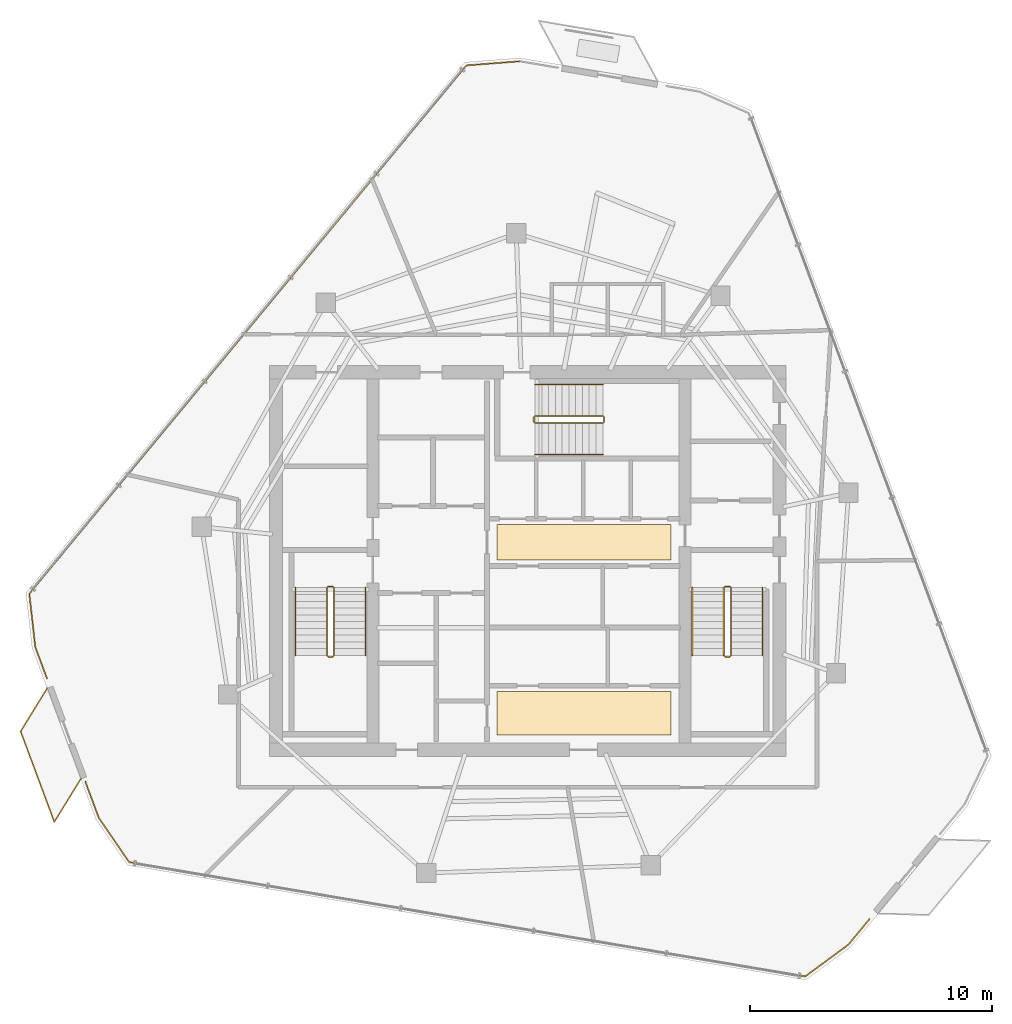
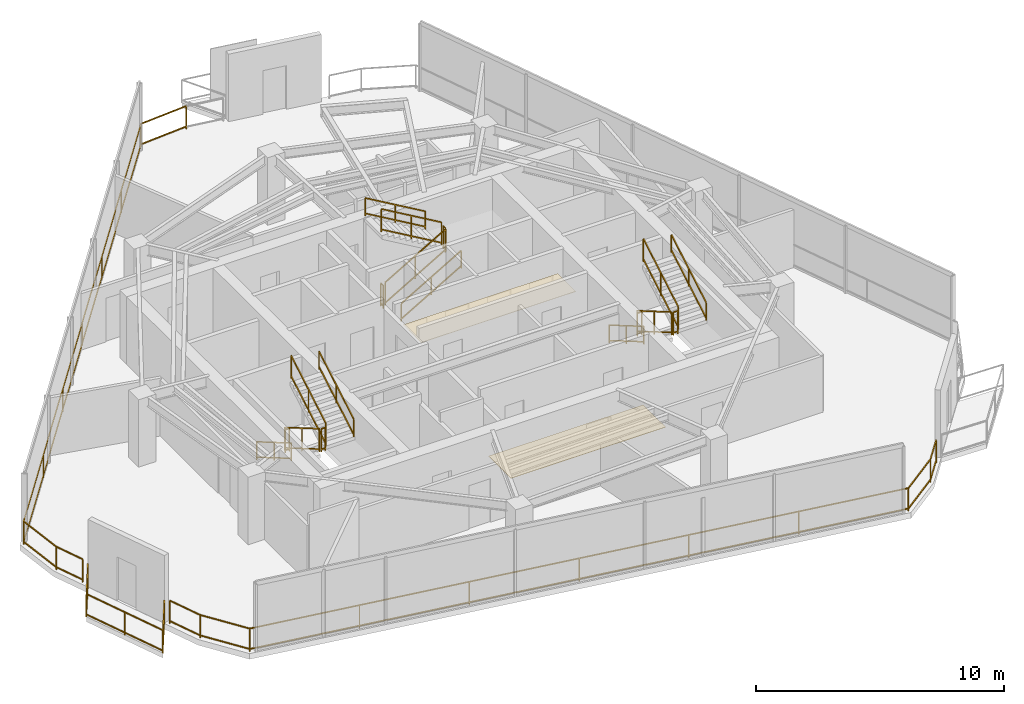
# One storey, part 18 of 19: 21 railings, 2 coverings.
"""IFC4 building model written with IfcOpenShell, lengths in metres."""

import ifcopenshell
import ifcopenshell.guid

model = None  # the IFC model being written
_history = None  # IfcOwnerHistory: only IFC2X3 demands one
_inside = {}  # id of a spatial element -> (the spatial element, [elements in it])
_under = {}  # id of a project, library or spatial element -> (it, [spatial elements below it])
_declared = {}  # id of a project -> (the project, [libraries it declares])
_typed = {}  # id of a type object -> (the type object, [elements of that type])
_made_of = {}  # id of a material, layer set ... -> (it, [elements and type objects made of it])


def new_model(schema):
    """Start an empty IFC model of exactly this schema.

    Asked for "IFC4X3", IfcOpenShell would pick the latest addendum, in which some entities
    have other attributes; the version numbers below select the first issue.
    IFC2X3 requires an IfcOwnerHistory on every rooted entity: one is made here for all.
    """
    global model, _history
    if schema == "IFC4X3":
        model = ifcopenshell.file(schema_version=(4, 3, 0, 0))
    else:
        model = ifcopenshell.file(schema=schema)
    _inside.clear()
    _under.clear()
    _declared.clear()
    _typed.clear()
    _made_of.clear()
    _history = None
    if model.schema == "IFC2X3":
        org = make("IfcOrganization", Name="unknown")
        user = make(
            "IfcPersonAndOrganization",
            ThePerson=make("IfcPerson", FamilyName="unknown"),
            TheOrganization=org,
        )
        app = make(
            "IfcApplication",
            ApplicationDeveloper=org,
            Version="unknown",
            ApplicationFullName="unknown",
            ApplicationIdentifier="unknown",
        )
        _history = make(
            "IfcOwnerHistory",
            OwningUser=user,
            OwningApplication=app,
            ChangeAction="ADDED",
            CreationDate=0,
        )
    return model


def make(cls, **values):
    """One entity of the class cls with the attributes given. An attribute that is None is left unset."""
    return model.create_entity(
        cls, **{name: value for name, value in values.items() if value is not None}
    )


def rooted(cls, **values):
    """An entity with a GlobalId (a new one), such as an element, a storey or a relation."""
    return make(cls, GlobalId=ifcopenshell.guid.new(), OwnerHistory=_history, **values)


def si_unit(unit_type, name, prefix=None):
    """IfcSIUnit, for example si_unit("LENGTHUNIT", "METRE", prefix="MILLI")."""
    return make("IfcSIUnit", UnitType=unit_type, Prefix=prefix, Name=name)


def assignment(units):
    """IfcUnitAssignment: the units of a project."""
    return None if units is None else make("IfcUnitAssignment", Units=units)


def point(xyz):
    """IfcCartesianPoint."""
    return None if xyz is None else make("IfcCartesianPoint", Coordinates=xyz)


def direction(xyz):
    """IfcDirection."""
    return None if xyz is None else make("IfcDirection", DirectionRatios=xyz)


def frame(location, z_axis=None, x_axis=None):
    """IfcAxis2Placement3D, a coordinate frame: its origin and axes. An axis left out is left unset."""
    return make(
        "IfcAxis2Placement3D",
        Location=point(location),
        Axis=direction(z_axis),
        RefDirection=direction(x_axis),
    )


def frame_2d(location, x_axis=None):
    """IfcAxis2Placement2D, a coordinate frame in the plane: its origin and x axis."""
    return make(
        "IfcAxis2Placement2D", Location=point(location), RefDirection=direction(x_axis)
    )


def origin():
    """The frame at (0, 0, 0) with its axes left unset."""
    return frame((0.0, 0.0, 0.0))


def origin_2d():
    """The frame at (0, 0) in the plane with its x axis left unset."""
    return frame_2d((0.0, 0.0))


def place(relative_to, where):
    """IfcLocalPlacement: puts the frame where relative to a parent placement (None: the world)."""
    return make(
        "IfcLocalPlacement", PlacementRelTo=relative_to, RelativePlacement=where
    )


def context(
    kind, dimensions, precision=None, world=None, true_north=None, identifier=None
):
    """IfcGeometricRepresentationContext, for example the 3D "Model" context."""
    return make(
        "IfcGeometricRepresentationContext",
        ContextIdentifier=identifier,
        ContextType=kind,
        CoordinateSpaceDimension=dimensions,
        Precision=precision,
        WorldCoordinateSystem=world,
        TrueNorth=true_north,
    )


def subcontext(parent, identifier, kind, view, scale=None):
    """IfcGeometricRepresentationSubContext, for example "Body" below "Model"."""
    return make(
        "IfcGeometricRepresentationSubContext",
        ContextIdentifier=identifier,
        ContextType=kind,
        ParentContext=parent,
        TargetScale=scale,
        TargetView=view,
    )


def project(units=None, contexts=None):
    """IfcProject with its units and contexts."""
    return rooted(
        "IfcProject",
        Name="project",
        RepresentationContexts=contexts,
        UnitsInContext=assignment(units),
    )


def spatial(cls, under=None, at=None, **own):
    """A site, building, storey or space (cls), placed at a placement, below another one or the project."""
    s = rooted(cls, ObjectPlacement=at, **own)
    if under is not None:
        _under.setdefault(under.id(), (under, []))[1].append(s)
    return s


def profile(cls, at=None, kind="AREA", **sizes):
    """A parametric profile (cls). Its sizes go by their IFC names, for example OverallWidth=200.0."""
    return make(cls, ProfileType=kind, Position=at, **sizes)


def rectangle(**sizes):
    """IfcRectangleProfileDef."""
    return profile("IfcRectangleProfileDef", **sizes)


def extrude(swept, where, along, depth):
    """IfcExtrudedAreaSolid: the profile swept, set in the frame where, extruded along a direction by depth."""
    return make(
        "IfcExtrudedAreaSolid",
        SweptArea=swept,
        Position=where,
        ExtrudedDirection=direction(along),
        Depth=depth,
    )


def shape(context_of_items, identifier, shape_type, items):
    """IfcShapeRepresentation: the items that make up one representation, for example the "Body"."""
    return make(
        "IfcShapeRepresentation",
        ContextOfItems=context_of_items,
        RepresentationIdentifier=identifier,
        RepresentationType=shape_type,
        Items=items,
    )


def material(Name=None, Category=None):
    """IfcMaterial."""
    return make("IfcMaterial", Name=Name, Category=Category)


def layer(
    of_material, thickness, ventilated=None, Name=None, Category=None, Priority=None
):
    """IfcMaterialLayer: one layer of a wall or slab, of a material (None: an air gap)."""
    return make(
        "IfcMaterialLayer",
        Material=of_material,
        LayerThickness=thickness,
        IsVentilated=ventilated,
        Name=Name,
        Category=Category,
        Priority=Priority,
    )


def layer_set(layers, Name=None):
    """IfcMaterialLayerSet."""
    return make("IfcMaterialLayerSet", MaterialLayers=layers, LayerSetName=Name)


def made_of(thing, what):
    """Note that an element or type object is made of a material, layer set ...; save() writes the relation."""
    if what is not None:
        _made_of.setdefault(what.id(), (what, []))[1].append(thing)
    return thing


def type_object(cls, material=None, **own):
    """A type object (cls), such as IfcWallType, which elements share."""
    return made_of(rooted(cls, **own), material)


def element(
    cls,
    number,
    at=None,
    inside=None,
    cuts=None,
    type_object=None,
    material=None,
    context=None,
    identifier="Body",
    shape_type=None,
    held_by="IfcProductDefinitionShape",
    body=None,
    shapes=None,
    **own,
):
    """One element of the class cls, such as IfcWall. Its Tag is "e" and its number.

    at: its placement. inside: the storey or other place that contains it. cuts: it is an
    opening in that element (IfcRelVoidsElement). A single representation is given by context,
    identifier, shape_type and body (its items); several are given by shapes. held_by: the class
    of the entity that holds the representations. save() writes the other relations.
    """
    e = rooted(cls, Tag="e%d" % number, ObjectPlacement=at, **own)
    if body is not None:
        shapes = [shape(context, identifier, shape_type, body)]
    if shapes is not None:
        e.Representation = make(held_by, Representations=shapes)
    if inside is not None:
        _inside.setdefault(inside.id(), (inside, []))[1].append(e)
    if cuts is not None:
        rooted(
            "IfcRelVoidsElement", RelatingBuildingElement=cuts, RelatedOpeningElement=e
        )
    if type_object is not None:
        _typed.setdefault(type_object.id(), (type_object, []))[1].append(e)
    return made_of(e, material)


def aggregate(whole, parts):
    """IfcRelAggregates: a whole, such as a stair, and the parts it consists of."""
    return rooted("IfcRelAggregates", RelatingObject=whole, RelatedObjects=parts)


def save(model, path):
    """Write the relations noted so far, then the file.

    IfcRelAggregates (storeys below a building ...), IfcRelContainedInSpatialStructure (elements
    in a storey), IfcRelDefinesByType, IfcRelAssociatesMaterial and IfcRelDeclares: one each for
    every whole, place, type object, material and project.
    """
    for whole, parts in _under.values():
        aggregate(whole, parts)
    for where, things in _inside.values():
        rooted(
            "IfcRelContainedInSpatialStructure",
            RelatedElements=things,
            RelatingStructure=where,
        )
    for kind, things in _typed.values():
        rooted("IfcRelDefinesByType", RelatedObjects=things, RelatingType=kind)
    for what, things in _made_of.values():
        rooted("IfcRelAssociatesMaterial", RelatedObjects=things, RelatingMaterial=what)
    for by, libraries in _declared.values():
        rooted("IfcRelDeclares", RelatingContext=by, RelatedDefinitions=libraries)
    model.write(path)


model = new_model("IFC4")

# Units and contexts
model_context = context("Model", 3, precision=1e-05, world=origin(), true_north=direction((0.0, 1.0)))
body_context = subcontext(model_context, "Body", "Model", "MODEL_VIEW")
ifc_project = project(units=[si_unit("LENGTHUNIT", "METRE"), si_unit("AREAUNIT", "SQUARE_METRE"), si_unit("VOLUMEUNIT", "CUBIC_METRE"), si_unit("PLANEANGLEUNIT", "RADIAN"), si_unit("MASSUNIT", "GRAM", prefix="KILO")], contexts=[model_context])

# Site, building, storey
site_placement = place(None, origin())
site = spatial("IfcSite", under=ifc_project, at=site_placement, CompositionType="ELEMENT")
building_placement = place(site_placement, origin())
building = spatial("IfcBuilding", under=site, at=building_placement, Name="Qarnah Convention Tower", CompositionType="ELEMENT")
storey_placement = place(building_placement, frame((0.0, 0.0, 257.10009765625)))
storey = spatial("IfcBuildingStorey", under=building, at=storey_placement, Name="L69", CompositionType="ELEMENT", Elevation=257.10009765625)

# Coverings
ifc_material_1 = material(Name="Mineral fibre acoustic ceiling")
ifc_layer_1 = layer(ifc_material_1, 0.02001953125)
ifc_layer_set_1 = layer_set([ifc_layer_1], Name="Mineral fibre acoustic ceiling")
covering_type_1 = type_object("IfcCoveringType", Name="COV-CEIL-20", PredefinedType="CEILING", material=ifc_layer_set_1)
covering_1_placement = place(storey_placement, frame((39.52001953125, 27.179931640625, 2.289794921875), z_axis=(0.0, 0.0, 1.0), x_axis=(1.0, 0.0, 0.0)))
element("IfcCovering", 1, at=covering_1_placement, inside=storey, type_object=covering_type_1, Name="L69 lift lobby acoustic ceiling", PredefinedType="CEILING", context=body_context, shape_type="SweptSolid", body=[
    extrude(rectangle(XDim=7.199951171875, YDim=1.449951171875, at=origin_2d()), origin(), (0.0, 0.0, 1.0), 0.02001953125),
])
ifc_material_2 = material(Name="Porcelain stone floor tile", Category="masonry")
ifc_layer_2 = layer(ifc_material_2, 0.02001953125)
ifc_layer_set_2 = layer_set([ifc_layer_2], Name="Porcelain stone floor tile")
covering_type_2 = type_object("IfcCoveringType", Name="COV-FLOOR-20", PredefinedType="FLOORING", material=ifc_layer_set_2)
covering_2_placement = place(storey_placement, frame((39.52001953125, 20.1201171875, 0.0), z_axis=(0.0, 0.0, 1.0), x_axis=(1.0, 0.0, 0.0)))
element("IfcCovering", 2, at=covering_2_placement, inside=storey, type_object=covering_type_2, Name="L69 lift lobby porcelain stone flooring", PredefinedType="FLOORING", context=body_context, shape_type="SweptSolid", body=[
    extrude(rectangle(XDim=7.199951171875, YDim=1.800048828125, at=origin_2d()), origin(), (0.0, 0.0, 1.0), 0.02001953125),
])

# Railings
ifc_material_3 = material(Name="Black anodised aluminium", Category="aluminium")
railing_type_1 = type_object("IfcRailingType", Name="RL-EXT-GUARD-1150", PredefinedType="GUARDRAIL", material=ifc_material_3)
railing_1_placement = place(storey_placement, frame((51.326904296875, 11.617919921875, 0.0)))
element("IfcRailing", 3, at=railing_1_placement, inside=storey, type_object=railing_type_1, Name="L69 slab-edge perimeter safety guard 03", PredefinedType="GUARDRAIL", context=body_context, shape_type="SweptSolid", body=[
    extrude(rectangle(XDim=0.048095703125, YDim=0.048095703125, at=origin_2d()), frame((0.0, 0.0, 1.1259765625), z_axis=(-0.637073931527, -0.770802702232, 0.0), x_axis=(0.770802702232, -0.637073931527, 0.0)), (0.0, 0.0, 1.0), 1.37646484375),
    extrude(rectangle(XDim=0.048095703125, YDim=0.048095703125, at=origin_2d()), frame((0.0, 0.0, 0.1201171875), z_axis=(-0.637073931527, -0.770802702232, 0.0), x_axis=(0.770802702232, -0.637073931527, 0.0)), (0.0, 0.0, 1.0), 1.37646484375),
    extrude(rectangle(XDim=0.048095703125, YDim=0.048095703125, at=origin_2d()), frame((-0.876953125, -1.06103515625, 1.1259765625), z_axis=(-0.804900847436, -0.593409323989, 0.0), x_axis=(0.593409323989, -0.804900847436, 0.0)), (0.0, 0.0, 1.0), 2.217529296875),
    extrude(rectangle(XDim=0.048095703125, YDim=0.048095703125, at=origin_2d()), frame((-0.876953125, -1.06103515625, 0.1201171875), z_axis=(-0.804900847436, -0.593409323989, 0.0), x_axis=(0.593409323989, -0.804900847436, 0.0)), (0.0, 0.0, 1.0), 2.217529296875),
    extrude(rectangle(XDim=0.048095703125, YDim=0.048095703125, at=origin_2d()), frame((-2.661865234375, -2.376953125, 1.1259765625), z_axis=(-0.985994666405, 0.166776850375, 0.0), x_axis=(-0.166776850375, -0.985994666405, 0.0)), (0.0, 0.0, 1.0), 28.331787109375),
    extrude(rectangle(XDim=0.048095703125, YDim=0.048095703125, at=origin_2d()), frame((-2.661865234375, -2.376953125, 0.1201171875), z_axis=(-0.985994666405, 0.166776850375, 0.0), x_axis=(-0.166776850375, -0.985994666405, 0.0)), (0.0, 0.0, 1.0), 28.331787109375),
    extrude(rectangle(XDim=0.048095703125, YDim=0.048095703125, at=origin_2d()), frame((-30.596923828125, 2.34814453125, 1.1259765625), z_axis=(-0.564971979591, 0.825110091004, 0.0), x_axis=(-0.825110091004, -0.564971979591, 0.0)), (0.0, 0.0, 1.0), 2.2177734375),
    extrude(rectangle(XDim=0.048095703125, YDim=0.048095703125, at=origin_2d()), frame((-30.596923828125, 2.34814453125, 0.1201171875), z_axis=(-0.564971979591, 0.825110091004, 0.0), x_axis=(-0.825110091004, -0.564971979591, 0.0)), (0.0, 0.0, 1.0), 2.2177734375),
    extrude(rectangle(XDim=0.048095703125, YDim=0.048095703125, at=origin_2d()), frame((-31.849853515625, 4.177978515625, 1.1259765625), z_axis=(-0.348340979754, 0.937367890331, 0.0), x_axis=(-0.937367890331, -0.348340979754, 0.0)), (0.0, 0.0, 1.0), 1.58740234375),
    extrude(rectangle(XDim=0.048095703125, YDim=0.048095703125, at=origin_2d()), frame((-31.849853515625, 4.177978515625, 0.1201171875), z_axis=(-0.348340979754, 0.937367890331, 0.0), x_axis=(-0.937367890331, -0.348340979754, 0.0)), (0.0, 0.0, 1.0), 1.58740234375),
    extrude(rectangle(XDim=0.0419921875, YDim=0.0419921875, at=origin_2d()), origin(), (0.0, 0.0, 1.0), 1.101806640625),
    extrude(rectangle(XDim=0.0419921875, YDim=0.0419921875, at=origin_2d()), frame((-0.876953125, -1.06103515625, 0.0)), (0.0, 0.0, 1.0), 1.101806640625),
    extrude(rectangle(XDim=0.0419921875, YDim=0.0419921875, at=origin_2d()), frame((-2.661865234375, -2.376953125, 0.0)), (0.0, 0.0, 1.0), 1.101806640625),
    extrude(rectangle(XDim=0.0419921875, YDim=0.0419921875, at=origin_2d()), frame((-7.317626953125, -1.58935546875, 0.0)), (0.0, 0.0, 1.0), 1.101806640625),
    extrude(rectangle(XDim=0.0419921875, YDim=0.0419921875, at=origin_2d()), frame((-11.9736328125, -0.802001953125, 0.0)), (0.0, 0.0, 1.0), 1.101806640625),
    extrude(rectangle(XDim=0.0419921875, YDim=0.0419921875, at=origin_2d()), frame((-16.62939453125, -0.014404296875, 0.0)), (0.0, 0.0, 1.0), 1.101806640625),
    extrude(rectangle(XDim=0.0419921875, YDim=0.0419921875, at=origin_2d()), frame((-21.28515625, 0.773193359375, 0.0)), (0.0, 0.0, 1.0), 1.101806640625),
    extrude(rectangle(XDim=0.0419921875, YDim=0.0419921875, at=origin_2d()), frame((-25.941162109375, 1.560546875, 0.0)), (0.0, 0.0, 1.0), 1.101806640625),
    extrude(rectangle(XDim=0.0419921875, YDim=0.0419921875, at=origin_2d()), frame((-30.596923828125, 2.34814453125, 0.0)), (0.0, 0.0, 1.0), 1.101806640625),
    extrude(rectangle(XDim=0.0419921875, YDim=0.0419921875, at=origin_2d()), frame((-31.849853515625, 4.177978515625, 0.0)), (0.0, 0.0, 1.0), 1.101806640625),
    extrude(rectangle(XDim=0.0419921875, YDim=0.0419921875, at=origin_2d()), frame((-32.40283203125, 5.666015625, 0.0)), (0.0, 0.0, 1.0), 1.101806640625),
])
railing_2_placement = place(storey_placement, frame((17.3349609375, 21.556884765625, 0.0)))
element("IfcRailing", 4, at=railing_2_placement, inside=storey, type_object=railing_type_1, Name="L69 slab-edge perimeter safety guard 04", PredefinedType="GUARDRAIL", context=body_context, shape_type="SweptSolid", body=[
    extrude(rectangle(XDim=0.048095703125, YDim=0.048095703125, at=origin_2d()), frame((0.0, 0.0, 1.1259765625), z_axis=(-0.348711972358, 0.937229939948, 0.0), x_axis=(-0.937229939948, -0.348711972358, 0.0)), (0.0, 0.0, 1.0), 1.37646484375),
    extrude(rectangle(XDim=0.048095703125, YDim=0.048095703125, at=origin_2d()), frame((0.0, 0.0, 0.1201171875), z_axis=(-0.348711972358, 0.937229939948, 0.0), x_axis=(-0.937229939948, -0.348711972358, 0.0)), (0.0, 0.0, 1.0), 1.37646484375),
    extrude(rectangle(XDim=0.048095703125, YDim=0.048095703125, at=origin_2d()), frame((-0.47998046875, 1.2900390625, 1.1259765625), z_axis=(-0.111398004309, 0.993775872436, 0.0), x_axis=(-0.993775872436, -0.111398004309, 0.0)), (0.0, 0.0, 1.0), 2.218017578125),
    extrude(rectangle(XDim=0.048095703125, YDim=0.048095703125, at=origin_2d()), frame((-0.47998046875, 1.2900390625, 0.1201171875), z_axis=(-0.111398004309, 0.993775872436, 0.0), x_axis=(-0.993775872436, -0.111398004309, 0.0)), (0.0, 0.0, 1.0), 2.218017578125),
    extrude(rectangle(XDim=0.048095703125, YDim=0.048095703125, at=origin_2d()), frame((-0.72705078125, 3.494140625, 1.1259765625), z_axis=(0.637438253645, 0.770501442432, 0.0), x_axis=(-0.770501442432, 0.637438253645, 0.0)), (0.0, 0.0, 1.0), 28.330810546875),
    extrude(rectangle(XDim=0.048095703125, YDim=0.048095703125, at=origin_2d()), frame((-0.72705078125, 3.494140625, 0.1201171875), z_axis=(0.637438253645, 0.770501442432, 0.0), x_axis=(-0.770501442432, 0.637438253645, 0.0)), (0.0, 0.0, 1.0), 28.330810546875),
    extrude(rectangle(XDim=0.048095703125, YDim=0.048095703125, at=origin_2d()), frame((17.33203125, 25.322998046875, 1.1259765625), z_axis=(0.997051246424, 0.076738595269, 0.0), x_axis=(-0.076738595269, 0.997051246424, 0.0)), (0.0, 0.0, 1.0), 2.217529296875),
    extrude(rectangle(XDim=0.048095703125, YDim=0.048095703125, at=origin_2d()), frame((17.33203125, 25.322998046875, 0.1201171875), z_axis=(0.997051246424, 0.076738595269, 0.0), x_axis=(-0.076738595269, 0.997051246424, 0.0)), (0.0, 0.0, 1.0), 2.217529296875),
    extrude(rectangle(XDim=0.0419921875, YDim=0.0419921875, at=origin_2d()), origin(), (0.0, 0.0, 1.0), 1.101806640625),
    extrude(rectangle(XDim=0.0419921875, YDim=0.0419921875, at=origin_2d()), frame((-0.47998046875, 1.2900390625, 0.0)), (0.0, 0.0, 1.0), 1.101806640625),
    extrude(rectangle(XDim=0.0419921875, YDim=0.0419921875, at=origin_2d()), frame((-0.72705078125, 3.494140625, 0.0)), (0.0, 0.0, 1.0), 1.101806640625),
    extrude(rectangle(XDim=0.0419921875, YDim=0.0419921875, at=origin_2d()), frame((2.28271484375, 7.13232421875, 0.0)), (0.0, 0.0, 1.0), 1.101806640625),
    extrude(rectangle(XDim=0.0419921875, YDim=0.0419921875, at=origin_2d()), frame((5.292724609375, 10.7705078125, 0.0)), (0.0, 0.0, 1.0), 1.101806640625),
    extrude(rectangle(XDim=0.0419921875, YDim=0.0419921875, at=origin_2d()), frame((8.302490234375, 14.40869140625, 0.0)), (0.0, 0.0, 1.0), 1.101806640625),
    extrude(rectangle(XDim=0.0419921875, YDim=0.0419921875, at=origin_2d()), frame((11.312255859375, 18.046630859375, 0.0)), (0.0, 0.0, 1.0), 1.101806640625),
    extrude(rectangle(XDim=0.0419921875, YDim=0.0419921875, at=origin_2d()), frame((14.322265625, 21.684814453125, 0.0)), (0.0, 0.0, 1.0), 1.101806640625),
    extrude(rectangle(XDim=0.0419921875, YDim=0.0419921875, at=origin_2d()), frame((17.33203125, 25.322998046875, 0.0)), (0.0, 0.0, 1.0), 1.101806640625),
    extrude(rectangle(XDim=0.0419921875, YDim=0.0419921875, at=origin_2d()), frame((19.54296875, 25.4931640625, 0.0)), (0.0, 0.0, 1.0), 1.101806640625),
])
railing_3_placement = place(storey_placement, frame((18.737060546875, 17.39990234375, 0.0)))
element("IfcRailing", 5, at=railing_3_placement, inside=storey, type_object=railing_type_1, Name="L69 balcony safety guard BAL-L69-C2", PredefinedType="GUARDRAIL", context=body_context, shape_type="SweptSolid", body=[
    extrude(rectangle(XDim=0.048095703125, YDim=0.048095703125, at=origin_2d()), frame((0.0, 0.0, 1.1259765625), z_axis=(-0.523876270694, -0.851794372489, 0.0), x_axis=(0.851794372489, -0.523876270694, 0.0)), (0.0, 0.0, 1.0), 2.09423828125),
    extrude(rectangle(XDim=0.048095703125, YDim=0.048095703125, at=origin_2d()), frame((0.0, 0.0, 0.1201171875), z_axis=(-0.523876270694, -0.851794372489, 0.0), x_axis=(0.851794372489, -0.523876270694, 0.0)), (0.0, 0.0, 1.0), 2.09423828125),
    extrude(rectangle(XDim=0.048095703125, YDim=0.048095703125, at=origin_2d()), frame((-1.09716796875, -1.783935546875, 1.1259765625), z_axis=(-0.348687580868, 0.937239014845, 0.0), x_axis=(-0.937239014845, -0.348687580868, 0.0)), (0.0, 0.0, 1.0), 4.0),
    extrude(rectangle(XDim=0.048095703125, YDim=0.048095703125, at=origin_2d()), frame((-1.09716796875, -1.783935546875, 0.1201171875), z_axis=(-0.348687580868, 0.937239014845, 0.0), x_axis=(-0.937239014845, -0.348687580868, 0.0)), (0.0, 0.0, 1.0), 4.0),
    extrude(rectangle(XDim=0.048095703125, YDim=0.048095703125, at=origin_2d()), frame((-2.491943359375, 1.965087890625, 1.1259765625), z_axis=(0.523791683431, 0.851846390125, 0.0), x_axis=(-0.851846390125, 0.523791683431, 0.0)), (0.0, 0.0, 1.0), 2.09423828125),
    extrude(rectangle(XDim=0.048095703125, YDim=0.048095703125, at=origin_2d()), frame((-2.491943359375, 1.965087890625, 0.1201171875), z_axis=(0.523791683431, 0.851846390125, 0.0), x_axis=(-0.851846390125, 0.523791683431, 0.0)), (0.0, 0.0, 1.0), 2.09423828125),
    extrude(rectangle(XDim=0.0419921875, YDim=0.0419921875, at=origin_2d()), origin(), (0.0, 0.0, 1.0), 1.101806640625),
    extrude(rectangle(XDim=0.0419921875, YDim=0.0419921875, at=origin_2d()), frame((-1.09716796875, -1.783935546875, 0.0)), (0.0, 0.0, 1.0), 1.101806640625),
    extrude(rectangle(XDim=0.0419921875, YDim=0.0419921875, at=origin_2d()), frame((-1.79443359375, 0.090576171875, 0.0)), (0.0, 0.0, 1.0), 1.101806640625),
    extrude(rectangle(XDim=0.0419921875, YDim=0.0419921875, at=origin_2d()), frame((-2.491943359375, 1.965087890625, 0.0)), (0.0, 0.0, 1.0), 1.101806640625),
    extrude(rectangle(XDim=0.0419921875, YDim=0.0419921875, at=origin_2d()), frame((-1.39501953125, 3.7490234375, 0.0)), (0.0, 0.0, 1.0), 1.101806640625),
])
ifc_material_4 = material(Name="Structural steel S355JR", Category="steel")
railing_type_2 = type_object("IfcRailingType", Name="RL-STAIR-GUARD-1150", PredefinedType="GUARDRAIL", material=ifc_material_4)
railing_4_placement = place(storey_placement, frame((28.89990234375, 25.300048828125, 0.16357421875)))
element("IfcRailing", 6, at=railing_4_placement, inside=storey, type_object=railing_type_2, Name="L69 ST-1 stair guard 1", PredefinedType="GUARDRAIL", context=body_context, shape_type="SweptSolid", body=[
    extrude(rectangle(XDim=0.048095703125, YDim=0.048095703125, at=origin_2d()), frame((0.0, 0.0, 1.1259765625), z_axis=(0.0, -0.863393664356, 0.504530851732), x_axis=(1.0, 0.0, 0.0)), (0.0, 0.0, 1.0), 3.2431640625),
    extrude(rectangle(XDim=0.048095703125, YDim=0.048095703125, at=origin_2d()), frame((0.0, 0.0, 0.1201171875), z_axis=(0.0, -0.863393664356, 0.504530851732), x_axis=(1.0, 0.0, 0.0)), (0.0, 0.0, 1.0), 3.2431640625),
    extrude(rectangle(XDim=0.0419921875, YDim=0.0419921875, at=origin_2d()), origin(), (0.0, 0.0, 1.0), 1.101806640625),
    extrude(rectangle(XDim=0.0419921875, YDim=0.0419921875, at=origin_2d()), frame((0.0, -1.39990234375, 0.818115234375)), (0.0, 0.0, 1.0), 1.101806640625),
    extrude(rectangle(XDim=0.0419921875, YDim=0.0419921875, at=origin_2d()), frame((0.0, -2.800048828125, 1.63623046875)), (0.0, 0.0, 1.0), 1.101806640625),
])
railing_5_placement = place(storey_placement, frame((28.949951171875, 22.449951171875, 1.7998046875)))
element("IfcRailing", 7, at=railing_5_placement, inside=storey, type_object=railing_type_2, Name="L69 ST-1 stair guard 2", PredefinedType="GUARDRAIL", context=body_context, shape_type="SweptSolid", body=[
    extrude(rectangle(XDim=0.048095703125, YDim=0.048095703125, at=origin_2d()), frame((0.0, 0.0, 1.1259765625), z_axis=(1.0, 0.0, 0.0), x_axis=(0.0, 1.0, 0.0)), (0.0, 0.0, 1.0), 0.199951171875),
    extrude(rectangle(XDim=0.048095703125, YDim=0.048095703125, at=origin_2d()), frame((0.0, 0.0, 0.1201171875), z_axis=(1.0, 0.0, 0.0), x_axis=(0.0, 1.0, 0.0)), (0.0, 0.0, 1.0), 0.199951171875),
    extrude(rectangle(XDim=0.0419921875, YDim=0.0419921875, at=origin_2d()), origin(), (0.0, 0.0, 1.0), 1.101806640625),
    extrude(rectangle(XDim=0.0419921875, YDim=0.0419921875, at=origin_2d()), frame((0.199951171875, 0.0, 0.0)), (0.0, 0.0, 1.0), 1.101806640625),
])
railing_6_placement = place(storey_placement, frame((29.199951171875, 22.5, 1.963623046875)))
element("IfcRailing", 8, at=railing_6_placement, inside=storey, type_object=railing_type_2, Name="L69 ST-1 stair guard 3", PredefinedType="GUARDRAIL", context=body_context, shape_type="SweptSolid", body=[
    extrude(rectangle(XDim=0.048095703125, YDim=0.048095703125, at=origin_2d()), frame((0.0, 0.0, 1.1259765625), z_axis=(0.0, 0.863393664356, 0.504530851732), x_axis=(-1.0, 0.0, 0.0)), (0.0, 0.0, 1.0), 3.2431640625),
    extrude(rectangle(XDim=0.048095703125, YDim=0.048095703125, at=origin_2d()), frame((0.0, 0.0, 0.1201171875), z_axis=(0.0, 0.863393664356, 0.504530851732), x_axis=(-1.0, 0.0, 0.0)), (0.0, 0.0, 1.0), 3.2431640625),
    extrude(rectangle(XDim=0.0419921875, YDim=0.0419921875, at=origin_2d()), origin(), (0.0, 0.0, 1.0), 1.101806640625),
    extrude(rectangle(XDim=0.0419921875, YDim=0.0419921875, at=origin_2d()), frame((0.0, 1.39990234375, 0.818115234375)), (0.0, 0.0, 1.0), 1.101806640625),
    extrude(rectangle(XDim=0.0419921875, YDim=0.0419921875, at=origin_2d()), frame((0.0, 2.800048828125, 1.63623046875)), (0.0, 0.0, 1.0), 1.101806640625),
])
railing_7_placement = place(storey_placement, frame((28.949951171875, 25.35009765625, 0.0)))
element("IfcRailing", 9, at=railing_7_placement, inside=storey, type_object=railing_type_2, Name="L69 ST-1 stair guard 4", PredefinedType="GUARDRAIL", context=body_context, shape_type="SweptSolid", body=[
    extrude(rectangle(XDim=0.048095703125, YDim=0.048095703125, at=origin_2d()), frame((0.0, 0.0, 1.1259765625), z_axis=(1.0, 0.0, 0.0), x_axis=(0.0, 1.0, 0.0)), (0.0, 0.0, 1.0), 0.199951171875),
    extrude(rectangle(XDim=0.048095703125, YDim=0.048095703125, at=origin_2d()), frame((0.0, 0.0, 0.1201171875), z_axis=(1.0, 0.0, 0.0), x_axis=(0.0, 1.0, 0.0)), (0.0, 0.0, 1.0), 0.199951171875),
    extrude(rectangle(XDim=0.0419921875, YDim=0.0419921875, at=origin_2d()), origin(), (0.0, 0.0, 1.0), 1.101806640625),
    extrude(rectangle(XDim=0.0419921875, YDim=0.0419921875, at=origin_2d()), frame((0.199951171875, 0.0, 0.0)), (0.0, 0.0, 1.0), 1.101806640625),
])
railing_8_placement = place(storey_placement, frame((45.300048828125, 25.300048828125, 0.16357421875)))
element("IfcRailing", 10, at=railing_8_placement, inside=storey, type_object=railing_type_2, Name="L69 ST-2 stair guard 1", PredefinedType="GUARDRAIL", context=body_context, shape_type="SweptSolid", body=[
    extrude(rectangle(XDim=0.048095703125, YDim=0.048095703125, at=origin_2d()), frame((0.0, 0.0, 1.1259765625), z_axis=(0.0, -0.863393664356, 0.504530851732), x_axis=(1.0, 0.0, 0.0)), (0.0, 0.0, 1.0), 3.2431640625),
    extrude(rectangle(XDim=0.048095703125, YDim=0.048095703125, at=origin_2d()), frame((0.0, 0.0, 0.1201171875), z_axis=(0.0, -0.863393664356, 0.504530851732), x_axis=(1.0, 0.0, 0.0)), (0.0, 0.0, 1.0), 3.2431640625),
    extrude(rectangle(XDim=0.0419921875, YDim=0.0419921875, at=origin_2d()), origin(), (0.0, 0.0, 1.0), 1.101806640625),
    extrude(rectangle(XDim=0.0419921875, YDim=0.0419921875, at=origin_2d()), frame((0.0, -1.39990234375, 0.818115234375)), (0.0, 0.0, 1.0), 1.101806640625),
    extrude(rectangle(XDim=0.0419921875, YDim=0.0419921875, at=origin_2d()), frame((0.0, -2.800048828125, 1.63623046875)), (0.0, 0.0, 1.0), 1.101806640625),
])
railing_9_placement = place(storey_placement, frame((45.35009765625, 22.449951171875, 1.7998046875)))
element("IfcRailing", 11, at=railing_9_placement, inside=storey, type_object=railing_type_2, Name="L69 ST-2 stair guard 2", PredefinedType="GUARDRAIL", context=body_context, shape_type="SweptSolid", body=[
    extrude(rectangle(XDim=0.048095703125, YDim=0.048095703125, at=origin_2d()), frame((0.0, 0.0, 1.1259765625), z_axis=(1.0, 0.0, 0.0), x_axis=(0.0, 1.0, 0.0)), (0.0, 0.0, 1.0), 0.199951171875),
    extrude(rectangle(XDim=0.048095703125, YDim=0.048095703125, at=origin_2d()), frame((0.0, 0.0, 0.1201171875), z_axis=(1.0, 0.0, 0.0), x_axis=(0.0, 1.0, 0.0)), (0.0, 0.0, 1.0), 0.199951171875),
    extrude(rectangle(XDim=0.0419921875, YDim=0.0419921875, at=origin_2d()), origin(), (0.0, 0.0, 1.0), 1.101806640625),
    extrude(rectangle(XDim=0.0419921875, YDim=0.0419921875, at=origin_2d()), frame((0.199951171875, 0.0, 0.0)), (0.0, 0.0, 1.0), 1.101806640625),
])
railing_10_placement = place(storey_placement, frame((45.60009765625, 22.5, 1.963623046875)))
element("IfcRailing", 12, at=railing_10_placement, inside=storey, type_object=railing_type_2, Name="L69 ST-2 stair guard 3", PredefinedType="GUARDRAIL", context=body_context, shape_type="SweptSolid", body=[
    extrude(rectangle(XDim=0.048095703125, YDim=0.048095703125, at=origin_2d()), frame((0.0, 0.0, 1.1259765625), z_axis=(0.0, 0.863393664356, 0.504530851732), x_axis=(-1.0, 0.0, 0.0)), (0.0, 0.0, 1.0), 3.2431640625),
    extrude(rectangle(XDim=0.048095703125, YDim=0.048095703125, at=origin_2d()), frame((0.0, 0.0, 0.1201171875), z_axis=(0.0, 0.863393664356, 0.504530851732), x_axis=(-1.0, 0.0, 0.0)), (0.0, 0.0, 1.0), 3.2431640625),
    extrude(rectangle(XDim=0.0419921875, YDim=0.0419921875, at=origin_2d()), origin(), (0.0, 0.0, 1.0), 1.101806640625),
    extrude(rectangle(XDim=0.0419921875, YDim=0.0419921875, at=origin_2d()), frame((0.0, 1.39990234375, 0.818115234375)), (0.0, 0.0, 1.0), 1.101806640625),
    extrude(rectangle(XDim=0.0419921875, YDim=0.0419921875, at=origin_2d()), frame((0.0, 2.800048828125, 1.63623046875)), (0.0, 0.0, 1.0), 1.101806640625),
])
railing_11_placement = place(storey_placement, frame((45.35009765625, 25.35009765625, 0.0)))
element("IfcRailing", 13, at=railing_11_placement, inside=storey, type_object=railing_type_2, Name="L69 ST-2 stair guard 4", PredefinedType="GUARDRAIL", context=body_context, shape_type="SweptSolid", body=[
    extrude(rectangle(XDim=0.048095703125, YDim=0.048095703125, at=origin_2d()), frame((0.0, 0.0, 1.1259765625), z_axis=(1.0, 0.0, 0.0), x_axis=(0.0, 1.0, 0.0)), (0.0, 0.0, 1.0), 0.199951171875),
    extrude(rectangle(XDim=0.048095703125, YDim=0.048095703125, at=origin_2d()), frame((0.0, 0.0, 0.1201171875), z_axis=(1.0, 0.0, 0.0), x_axis=(0.0, 1.0, 0.0)), (0.0, 0.0, 1.0), 0.199951171875),
    extrude(rectangle(XDim=0.0419921875, YDim=0.0419921875, at=origin_2d()), origin(), (0.0, 0.0, 1.0), 1.101806640625),
    extrude(rectangle(XDim=0.0419921875, YDim=0.0419921875, at=origin_2d()), frame((0.199951171875, 0.0, 0.0)), (0.0, 0.0, 1.0), 1.101806640625),
])
railing_12_placement = place(storey_placement, frame((37.5, 32.10009765625, 0.16357421875)))
element("IfcRailing", 14, at=railing_12_placement, inside=storey, type_object=railing_type_2, Name="L69 ST-3 stair guard 1", PredefinedType="GUARDRAIL", context=body_context, shape_type="SweptSolid", body=[
    extrude(rectangle(XDim=0.048095703125, YDim=0.048095703125, at=origin_2d()), frame((0.0, 0.0, 1.1259765625), z_axis=(0.863393664356, 0.0, 0.504530851732), x_axis=(0.0, 1.0, 0.0)), (0.0, 0.0, 1.0), 3.2431640625),
    extrude(rectangle(XDim=0.048095703125, YDim=0.048095703125, at=origin_2d()), frame((0.0, 0.0, 0.1201171875), z_axis=(0.863393664356, 0.0, 0.504530851732), x_axis=(0.0, 1.0, 0.0)), (0.0, 0.0, 1.0), 3.2431640625),
    extrude(rectangle(XDim=0.0419921875, YDim=0.0419921875, at=origin_2d()), origin(), (0.0, 0.0, 1.0), 1.101806640625),
    extrude(rectangle(XDim=0.0419921875, YDim=0.0419921875, at=origin_2d()), frame((1.39990234375, 0.0, 0.818115234375)), (0.0, 0.0, 1.0), 1.101806640625),
    extrude(rectangle(XDim=0.0419921875, YDim=0.0419921875, at=origin_2d()), frame((2.800048828125, 0.0, 1.63623046875)), (0.0, 0.0, 1.0), 1.101806640625),
])
railing_13_placement = place(storey_placement, frame((40.35009765625, 32.14990234375, 1.7998046875)))
element("IfcRailing", 15, at=railing_13_placement, inside=storey, type_object=railing_type_2, Name="L69 ST-3 stair guard 2", PredefinedType="GUARDRAIL", context=body_context, shape_type="SweptSolid", body=[
    extrude(rectangle(XDim=0.048095703125, YDim=0.048095703125, at=origin_2d()), frame((0.0, 0.0, 1.1259765625), z_axis=(0.0, 1.0, 0.0), x_axis=(-1.0, 0.0, 0.0)), (0.0, 0.0, 1.0), 0.2001953125),
    extrude(rectangle(XDim=0.048095703125, YDim=0.048095703125, at=origin_2d()), frame((0.0, 0.0, 0.1201171875), z_axis=(0.0, 1.0, 0.0), x_axis=(-1.0, 0.0, 0.0)), (0.0, 0.0, 1.0), 0.2001953125),
    extrude(rectangle(XDim=0.0419921875, YDim=0.0419921875, at=origin_2d()), origin(), (0.0, 0.0, 1.0), 1.101806640625),
    extrude(rectangle(XDim=0.0419921875, YDim=0.0419921875, at=origin_2d()), frame((0.0, 0.2001953125, 0.0)), (0.0, 0.0, 1.0), 1.101806640625),
])
railing_14_placement = place(storey_placement, frame((40.300048828125, 32.39990234375, 1.963623046875)))
element("IfcRailing", 16, at=railing_14_placement, inside=storey, type_object=railing_type_2, Name="L69 ST-3 stair guard 3", PredefinedType="GUARDRAIL", context=body_context, shape_type="SweptSolid", body=[
    extrude(rectangle(XDim=0.048095703125, YDim=0.048095703125, at=origin_2d()), frame((0.0, 0.0, 1.1259765625), z_axis=(-0.863393664356, 0.0, 0.504530851732), x_axis=(0.0, -1.0, 0.0)), (0.0, 0.0, 1.0), 3.2431640625),
    extrude(rectangle(XDim=0.048095703125, YDim=0.048095703125, at=origin_2d()), frame((0.0, 0.0, 0.1201171875), z_axis=(-0.863393664356, 0.0, 0.504530851732), x_axis=(0.0, -1.0, 0.0)), (0.0, 0.0, 1.0), 3.2431640625),
    extrude(rectangle(XDim=0.0419921875, YDim=0.0419921875, at=origin_2d()), origin(), (0.0, 0.0, 1.0), 1.101806640625),
    extrude(rectangle(XDim=0.0419921875, YDim=0.0419921875, at=origin_2d()), frame((-1.39990234375, 0.0, 0.818115234375)), (0.0, 0.0, 1.0), 1.101806640625),
    extrude(rectangle(XDim=0.0419921875, YDim=0.0419921875, at=origin_2d()), frame((-2.800048828125, 0.0, 1.63623046875)), (0.0, 0.0, 1.0), 1.101806640625),
])
railing_15_placement = place(storey_placement, frame((37.449951171875, 32.14990234375, 0.0)))
element("IfcRailing", 17, at=railing_15_placement, inside=storey, type_object=railing_type_2, Name="L69 ST-3 stair guard 4", PredefinedType="GUARDRAIL", context=body_context, shape_type="SweptSolid", body=[
    extrude(rectangle(XDim=0.048095703125, YDim=0.048095703125, at=origin_2d()), frame((0.0, 0.0, 1.1259765625), z_axis=(0.0, 1.0, 0.0), x_axis=(-1.0, 0.0, 0.0)), (0.0, 0.0, 1.0), 0.2001953125),
    extrude(rectangle(XDim=0.048095703125, YDim=0.048095703125, at=origin_2d()), frame((0.0, 0.0, 0.1201171875), z_axis=(0.0, 1.0, 0.0), x_axis=(-1.0, 0.0, 0.0)), (0.0, 0.0, 1.0), 0.2001953125),
    extrude(rectangle(XDim=0.0419921875, YDim=0.0419921875, at=origin_2d()), origin(), (0.0, 0.0, 1.0), 1.101806640625),
    extrude(rectangle(XDim=0.0419921875, YDim=0.0419921875, at=origin_2d()), frame((0.0, 0.2001953125, 0.0)), (0.0, 0.0, 1.0), 1.101806640625),
])
railing_type_3 = type_object("IfcRailingType", Name="RL-STAIR-HAND-900", PredefinedType="HANDRAIL", material=ifc_material_4)
railing_16_placement = place(storey_placement, frame((27.60009765625, 25.300048828125, 0.16357421875)))
element("IfcRailing", 18, at=railing_16_placement, inside=storey, type_object=railing_type_3, Name="L69 ST-1 stair handrail 1", PredefinedType="HANDRAIL", context=body_context, shape_type="SweptSolid", body=[
    extrude(rectangle(XDim=0.048095703125, YDim=0.048095703125, at=origin_2d()), frame((0.0, 0.0, 0.8759765625), z_axis=(0.0, -0.863393664356, 0.504530851732), x_axis=(1.0, 0.0, 0.0)), (0.0, 0.0, 1.0), 3.2431640625),
    extrude(rectangle(XDim=0.048095703125, YDim=0.048095703125, at=origin_2d()), frame((0.0, 0.0, 0.1201171875), z_axis=(0.0, -0.863393664356, 0.504530851732), x_axis=(1.0, 0.0, 0.0)), (0.0, 0.0, 1.0), 3.2431640625),
    extrude(rectangle(XDim=0.0419921875, YDim=0.0419921875, at=origin_2d()), origin(), (0.0, 0.0, 1.0), 0.851806640625),
    extrude(rectangle(XDim=0.0419921875, YDim=0.0419921875, at=origin_2d()), frame((0.0, -1.39990234375, 0.818115234375)), (0.0, 0.0, 1.0), 0.851806640625),
    extrude(rectangle(XDim=0.0419921875, YDim=0.0419921875, at=origin_2d()), frame((0.0, -2.800048828125, 1.63623046875)), (0.0, 0.0, 1.0), 0.851806640625),
])
railing_17_placement = place(storey_placement, frame((30.5, 22.5, 1.963623046875)))
element("IfcRailing", 19, at=railing_17_placement, inside=storey, type_object=railing_type_3, Name="L69 ST-1 stair handrail 2", PredefinedType="HANDRAIL", context=body_context, shape_type="SweptSolid", body=[
    extrude(rectangle(XDim=0.048095703125, YDim=0.048095703125, at=origin_2d()), frame((0.0, 0.0, 0.8759765625), z_axis=(0.0, 0.863393664356, 0.504530851732), x_axis=(-1.0, 0.0, 0.0)), (0.0, 0.0, 1.0), 3.2431640625),
    extrude(rectangle(XDim=0.048095703125, YDim=0.048095703125, at=origin_2d()), frame((0.0, 0.0, 0.1201171875), z_axis=(0.0, 0.863393664356, 0.504530851732), x_axis=(-1.0, 0.0, 0.0)), (0.0, 0.0, 1.0), 3.2431640625),
    extrude(rectangle(XDim=0.0419921875, YDim=0.0419921875, at=origin_2d()), origin(), (0.0, 0.0, 1.0), 0.851806640625),
    extrude(rectangle(XDim=0.0419921875, YDim=0.0419921875, at=origin_2d()), frame((0.0, 1.39990234375, 0.818115234375)), (0.0, 0.0, 1.0), 0.851806640625),
    extrude(rectangle(XDim=0.0419921875, YDim=0.0419921875, at=origin_2d()), frame((0.0, 2.800048828125, 1.63623046875)), (0.0, 0.0, 1.0), 0.851806640625),
])
railing_18_placement = place(storey_placement, frame((44.0, 25.300048828125, 0.16357421875)))
element("IfcRailing", 20, at=railing_18_placement, inside=storey, type_object=railing_type_3, Name="L69 ST-2 stair handrail 1", PredefinedType="HANDRAIL", context=body_context, shape_type="SweptSolid", body=[
    extrude(rectangle(XDim=0.048095703125, YDim=0.048095703125, at=origin_2d()), frame((0.0, 0.0, 0.8759765625), z_axis=(0.0, -0.863393664356, 0.504530851732), x_axis=(1.0, 0.0, 0.0)), (0.0, 0.0, 1.0), 3.2431640625),
    extrude(rectangle(XDim=0.048095703125, YDim=0.048095703125, at=origin_2d()), frame((0.0, 0.0, 0.1201171875), z_axis=(0.0, -0.863393664356, 0.504530851732), x_axis=(1.0, 0.0, 0.0)), (0.0, 0.0, 1.0), 3.2431640625),
    extrude(rectangle(XDim=0.0419921875, YDim=0.0419921875, at=origin_2d()), origin(), (0.0, 0.0, 1.0), 0.851806640625),
    extrude(rectangle(XDim=0.0419921875, YDim=0.0419921875, at=origin_2d()), frame((0.0, -1.39990234375, 0.818115234375)), (0.0, 0.0, 1.0), 0.851806640625),
    extrude(rectangle(XDim=0.0419921875, YDim=0.0419921875, at=origin_2d()), frame((0.0, -2.800048828125, 1.63623046875)), (0.0, 0.0, 1.0), 0.851806640625),
])
railing_19_placement = place(storey_placement, frame((46.89990234375, 22.5, 1.963623046875)))
element("IfcRailing", 21, at=railing_19_placement, inside=storey, type_object=railing_type_3, Name="L69 ST-2 stair handrail 2", PredefinedType="HANDRAIL", context=body_context, shape_type="SweptSolid", body=[
    extrude(rectangle(XDim=0.048095703125, YDim=0.048095703125, at=origin_2d()), frame((0.0, 0.0, 0.8759765625), z_axis=(0.0, 0.863393664356, 0.504530851732), x_axis=(-1.0, 0.0, 0.0)), (0.0, 0.0, 1.0), 3.2431640625),
    extrude(rectangle(XDim=0.048095703125, YDim=0.048095703125, at=origin_2d()), frame((0.0, 0.0, 0.1201171875), z_axis=(0.0, 0.863393664356, 0.504530851732), x_axis=(-1.0, 0.0, 0.0)), (0.0, 0.0, 1.0), 3.2431640625),
    extrude(rectangle(XDim=0.0419921875, YDim=0.0419921875, at=origin_2d()), origin(), (0.0, 0.0, 1.0), 0.851806640625),
    extrude(rectangle(XDim=0.0419921875, YDim=0.0419921875, at=origin_2d()), frame((0.0, 1.39990234375, 0.818115234375)), (0.0, 0.0, 1.0), 0.851806640625),
    extrude(rectangle(XDim=0.0419921875, YDim=0.0419921875, at=origin_2d()), frame((0.0, 2.800048828125, 1.63623046875)), (0.0, 0.0, 1.0), 0.851806640625),
])
railing_20_placement = place(storey_placement, frame((37.5, 30.800048828125, 0.16357421875)))
element("IfcRailing", 22, at=railing_20_placement, inside=storey, type_object=railing_type_3, Name="L69 ST-3 stair handrail 1", PredefinedType="HANDRAIL", context=body_context, shape_type="SweptSolid", body=[
    extrude(rectangle(XDim=0.048095703125, YDim=0.048095703125, at=origin_2d()), frame((0.0, 0.0, 0.8759765625), z_axis=(0.863393664356, 0.0, 0.504530851732), x_axis=(0.0, 1.0, 0.0)), (0.0, 0.0, 1.0), 3.2431640625),
    extrude(rectangle(XDim=0.048095703125, YDim=0.048095703125, at=origin_2d()), frame((0.0, 0.0, 0.1201171875), z_axis=(0.863393664356, 0.0, 0.504530851732), x_axis=(0.0, 1.0, 0.0)), (0.0, 0.0, 1.0), 3.2431640625),
    extrude(rectangle(XDim=0.0419921875, YDim=0.0419921875, at=origin_2d()), origin(), (0.0, 0.0, 1.0), 0.851806640625),
    extrude(rectangle(XDim=0.0419921875, YDim=0.0419921875, at=origin_2d()), frame((1.39990234375, 0.0, 0.818115234375)), (0.0, 0.0, 1.0), 0.851806640625),
    extrude(rectangle(XDim=0.0419921875, YDim=0.0419921875, at=origin_2d()), frame((2.800048828125, 0.0, 1.63623046875)), (0.0, 0.0, 1.0), 0.851806640625),
])
railing_21_placement = place(storey_placement, frame((40.300048828125, 33.699951171875, 1.963623046875)))
element("IfcRailing", 23, at=railing_21_placement, inside=storey, type_object=railing_type_3, Name="L69 ST-3 stair handrail 2", PredefinedType="HANDRAIL", context=body_context, shape_type="SweptSolid", body=[
    extrude(rectangle(XDim=0.048095703125, YDim=0.048095703125, at=origin_2d()), frame((0.0, 0.0, 0.8759765625), z_axis=(-0.863393664356, 0.0, 0.504530851732), x_axis=(0.0, -1.0, 0.0)), (0.0, 0.0, 1.0), 3.2431640625),
    extrude(rectangle(XDim=0.048095703125, YDim=0.048095703125, at=origin_2d()), frame((0.0, 0.0, 0.1201171875), z_axis=(-0.863393664356, 0.0, 0.504530851732), x_axis=(0.0, -1.0, 0.0)), (0.0, 0.0, 1.0), 3.2431640625),
    extrude(rectangle(XDim=0.0419921875, YDim=0.0419921875, at=origin_2d()), origin(), (0.0, 0.0, 1.0), 0.851806640625),
    extrude(rectangle(XDim=0.0419921875, YDim=0.0419921875, at=origin_2d()), frame((-1.39990234375, 0.0, 0.818115234375)), (0.0, 0.0, 1.0), 0.851806640625),
    extrude(rectangle(XDim=0.0419921875, YDim=0.0419921875, at=origin_2d()), frame((-2.800048828125, 0.0, 1.63623046875)), (0.0, 0.0, 1.0), 0.851806640625),
])

save(model, "model.ifc")
